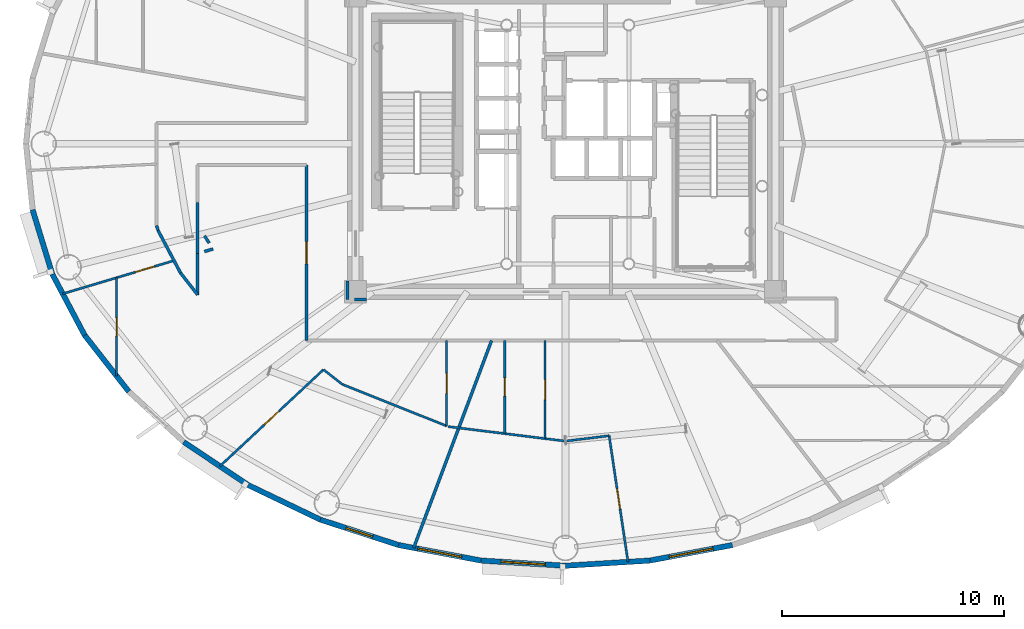
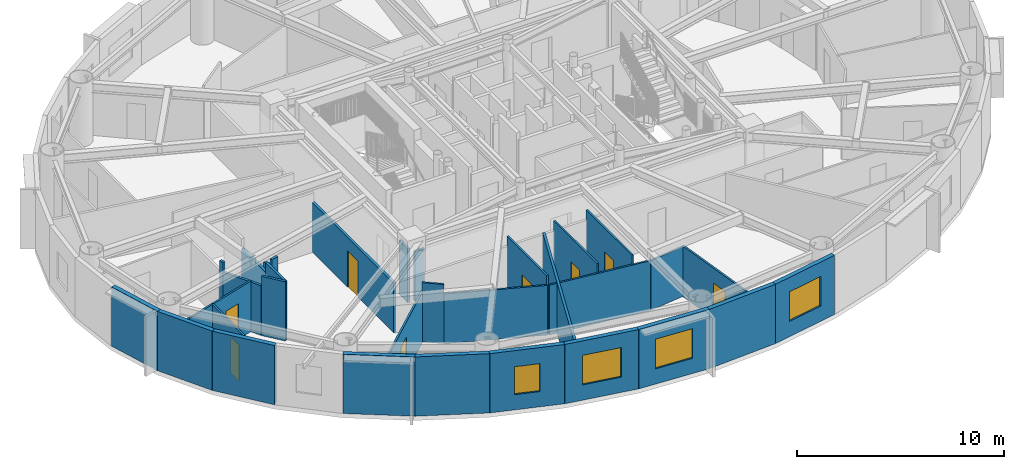
# One storey, part 9 of 21: 32 walls, 8 doors, 4 windows, 12 openings.
"""IFC4 building model written with IfcOpenShell, lengths in metres."""

from ifc_helpers import new_model, si_unit, direction, frame, frame_2d, origin, origin_2d, place, context, subcontext, project, spatial, rectangle, extrude, source, transform, mapped, material, layer, layer_set, type_object, element, fill, save


model = new_model("IFC4")

# Units and contexts
model_context = context("Model", 3, precision=1e-05, world=origin(), true_north=direction((0.0, 1.0)))
body_context = subcontext(model_context, "Body", "Model", "MODEL_VIEW")
ifc_project = project(units=[si_unit("LENGTHUNIT", "METRE"), si_unit("AREAUNIT", "SQUARE_METRE"), si_unit("VOLUMEUNIT", "CUBIC_METRE"), si_unit("PLANEANGLEUNIT", "RADIAN"), si_unit("MASSUNIT", "GRAM", prefix="KILO")], contexts=[model_context])

# Site, building, storey
site_placement = place(None, origin())
site = spatial("IfcSite", under=ifc_project, at=site_placement, CompositionType="ELEMENT")
building_placement = place(site_placement, origin())
building = spatial("IfcBuilding", under=site, at=building_placement, Name="Linh Dai School and Residence Tower", CompositionType="ELEMENT")
storey_placement = place(building_placement, frame((0.0, 0.0, 229.050048828125)))
storey = spatial("IfcBuildingStorey", under=building, at=storey_placement, Name="L56", CompositionType="ELEMENT", Elevation=229.050048828125)

# Walls
ifc_material_1 = material(Name="Precast Concrete B45 (C35/45)", Category="concrete")
ifc_layer_1 = layer(ifc_material_1, 0.239990234375)
ifc_layer_set_1 = layer_set([ifc_layer_1], Name="Precast Concrete B45 (C35/45)")
wall_type_1 = type_object("IfcWallType", Name="EW-TC-240", PredefinedType="SOLIDWALL", material=ifc_layer_set_1)
wall_1_placement = place(storey_placement, frame((12.90966796875, 21.14404296875, 0.0), z_axis=(0.0, 0.0, 1.0), x_axis=(-0.293132907334, 0.95607170162, 0.0)))
element("IfcWall", 1, at=wall_1_placement, inside=storey, type_object=wall_type_1, Name="L56 Terracotta Exterior Wall 22", PredefinedType="SOLIDWALL", context=body_context, shape_type="SweptSolid", body=[
    extrude(rectangle(XDim=3.02490234375, YDim=0.239990234375, at=frame_2d((1.512451171875, 0.0))), origin(), (0.0, 0.0, 1.0), 3.5),
])
wall_2_placement = place(storey_placement, frame((14.3642578125, 18.394775390625, 0.0), z_axis=(0.0, 0.0, 1.0), x_axis=(-0.46766049993, 0.883908172157, 0.0)))
element("IfcWall", 2, at=wall_2_placement, inside=storey, type_object=wall_type_1, Name="L56 Terracotta Exterior Wall 23", PredefinedType="SOLIDWALL", context=body_context, shape_type="SweptSolid", body=[
    extrude(rectangle(XDim=3.1103515625, YDim=0.239990234375, at=frame_2d((1.55517578125, 0.0))), origin(), (0.0, 0.0, 1.0), 3.5),
])
wall_3_placement = place(storey_placement, frame((16.3515625, 15.85546875, 0.0), z_axis=(0.0, 0.0, 1.0), x_axis=(-0.616312344705, 0.787501805562, 0.0)))
element("IfcWall", 3, at=wall_3_placement, inside=storey, type_object=wall_type_1, Name="L56 Terracotta Exterior Wall 24", PredefinedType="SOLIDWALL", context=body_context, shape_type="SweptSolid", body=[
    extrude(rectangle(XDim=3.224609375, YDim=0.239990234375, at=frame_2d((1.6123046875, 0.0))), origin(), (0.0, 0.0, 1.0), 3.5),
])
wall_4_placement = place(storey_placement, frame((21.719970703125, 11.65234375, 0.0), z_axis=(0.0, 0.0, 1.0), x_axis=(-0.831262496074, 0.555880079352, 0.0)))
element("IfcWall", 4, at=wall_4_placement, inside=storey, type_object=wall_type_1, Name="L56 Terracotta Exterior Wall 26", PredefinedType="SOLIDWALL", context=body_context, shape_type="SweptSolid", body=[
    extrude(rectangle(XDim=3.484130859375, YDim=0.239990234375, at=frame_2d((1.7421875, 0.0))), origin(), (0.0, 0.0, 1.0), 3.5),
])
wall_5_placement = place(storey_placement, frame((24.968994140625, 10.093505859375, 0.0), z_axis=(0.0, 0.0, 1.0), x_axis=(-0.901598104751, 0.432574684313, 0.0)))
element("IfcWall", 5, at=wall_5_placement, inside=storey, type_object=wall_type_1, Name="L56 Terracotta Exterior Wall 27", PredefinedType="SOLIDWALL", context=body_context, shape_type="SweptSolid", body=[
    extrude(rectangle(XDim=3.603515625, YDim=0.239990234375, at=frame_2d((1.8017578125, 0.0))), origin(), (0.0, 0.0, 1.0), 3.5),
])

# Wall, opening, window
wall_6_placement = place(storey_placement, frame((28.49072265625, 8.951171875, 0.0), z_axis=(0.0, 0.0, 1.0), x_axis=(-0.951210789182, 0.308541787354, 0.0)))
wall_6 = element("IfcWall", 6, at=wall_6_placement, inside=storey, type_object=wall_type_1, Name="L56 Terracotta Exterior Wall 28", PredefinedType="SOLIDWALL", context=body_context, shape_type="SweptSolid", body=[
    extrude(rectangle(XDim=3.702392578125, YDim=0.239990234375, at=frame_2d((1.85107421875, 0.0))), origin(), (0.0, 0.0, 1.0), 3.5),
])
opening_1_placement = place(wall_6_placement, frame((1.226318359375, 0.0, 0.89990234375)))
opening_1 = element("IfcOpeningElement", 7, at=opening_1_placement, cuts=wall_6, Name="Opening W3", PredefinedType="OPENING", context=body_context, shape_type="SweptSolid", body=[
    extrude(rectangle(XDim=1.25, YDim=1.64990234375, at=origin_2d()), frame((0.625, 0.1298828125, 0.824951171875), z_axis=(0.0, -1.0, 0.0), x_axis=(1.0, 0.0, 0.0)), (0.0, 0.0, 1.0), 0.260009765625),
])
ifc_material_2 = material(Name="Double Low-E Insulated Glazing", Category="glass")
window_type_1 = type_object("IfcWindowType", Name="WN-RES-1250x1650", PartitioningType="SINGLE_PANEL", PredefinedType="WINDOW", material=ifc_material_2)
shared_shape_1 = source(origin(), body_context, "Body", "SweptSolid", [
    extrude(rectangle(XDim=1.25, YDim=1.64990234375, at=origin_2d()), frame((0.625, 0.030029296875, 0.824951171875), z_axis=(0.0, -1.0, 0.0), x_axis=(1.0, 0.0, 0.0)), (0.0, 0.0, 1.0), 0.06005859375),
])
window_1_placement = place(opening_1_placement, origin())
window_1 = element("IfcWindow", 8, at=window_1_placement, inside=storey, type_object=window_type_1, Name="L56 Dwelling Window U5602-BD2", OverallHeight=1.64990234375, OverallWidth=1.25, PartitioningType="SINGLE_PANEL", PredefinedType="WINDOW", context=body_context, shape_type="MappedRepresentation", body=[
    mapped(shared_shape_1, transform((0.0, 0.0, 0.0), x_axis=(1.0, 0.0, 0.0), y_axis=(0.0, 1.0, 0.0), z_axis=(0.0, 0.0, 1.0), scale=1.0)),
])
fill(opening_1, window_1)

wall_7_placement = place(storey_placement, frame((32.198486328125, 8.254150390625, 0.0), z_axis=(0.0, 0.0, 1.0), x_axis=(-0.982784898575, 0.184753465822, 0.0)))
wall_7 = element("IfcWall", 9, at=wall_7_placement, inside=storey, type_object=wall_type_1, Name="L56 Terracotta Exterior Wall 29", PredefinedType="SOLIDWALL", context=body_context, shape_type="SweptSolid", body=[
    extrude(rectangle(XDim=3.772705078125, YDim=0.239990234375, at=frame_2d((1.88623046875, 0.0))), origin(), (0.0, 0.0, 1.0), 3.5),
])
opening_2_placement = place(wall_7_placement, frame((0.88623046875, 0.0, 0.89990234375)))
opening_2 = element("IfcOpeningElement", 10, at=opening_2_placement, cuts=wall_7, Name="Opening W1", PredefinedType="OPENING", context=body_context, shape_type="SweptSolid", body=[
    extrude(rectangle(XDim=2.0, YDim=1.75, at=origin_2d()), frame((1.0, 0.1298828125, 0.875), z_axis=(0.0, -1.0, 0.0), x_axis=(1.0, 0.0, 0.0)), (0.0, 0.0, 1.0), 0.260009765625),
])
window_type_2 = type_object("IfcWindowType", Name="WN-RES-2000x1750", PartitioningType="DOUBLE_PANEL_VERTICAL", PredefinedType="WINDOW", material=ifc_material_2)
shared_shape_2 = source(origin(), body_context, "Body", "SweptSolid", [
    extrude(rectangle(XDim=2.0, YDim=1.75, at=origin_2d()), frame((1.0, 0.030029296875, 0.875), z_axis=(0.0, -1.0, 0.0), x_axis=(1.0, 0.0, 0.0)), (0.0, 0.0, 1.0), 0.06005859375),
])
window_2_placement = place(opening_2_placement, origin())
window_2 = element("IfcWindow", 11, at=window_2_placement, inside=storey, type_object=window_type_2, Name="L56 Exterior Window 29.1", OverallHeight=1.75, OverallWidth=2.0, PartitioningType="DOUBLE_PANEL_VERTICAL", PredefinedType="WINDOW", context=body_context, shape_type="MappedRepresentation", body=[
    mapped(shared_shape_2, transform((0.0, 0.0, 0.0), x_axis=(1.0, 0.0, 0.0), y_axis=(0.0, 1.0, 0.0), z_axis=(0.0, 0.0, 1.0), scale=1.0)),
])
fill(opening_2, window_2)

wall_8_placement = place(storey_placement, frame((36.0, 8.02001953125, 0.0), z_axis=(0.0, 0.0, 1.0), x_axis=(-0.998108785312, 0.06147237333, 0.0)))
wall_8 = element("IfcWall", 12, at=wall_8_placement, inside=storey, type_object=wall_type_1, Name="L56 Terracotta Exterior Wall 30", PredefinedType="SOLIDWALL", context=body_context, shape_type="SweptSolid", body=[
    extrude(rectangle(XDim=3.808837890625, YDim=0.239990234375, at=frame_2d((1.904296875, 0.0))), origin(), (0.0, 0.0, 1.0), 3.5),
])
opening_3_placement = place(wall_8_placement, frame((0.904296875, 0.0, 0.89990234375)))
opening_3 = element("IfcOpeningElement", 13, at=opening_3_placement, cuts=wall_8, Name="Opening W1", PredefinedType="OPENING", context=body_context, shape_type="SweptSolid", body=[
    extrude(rectangle(XDim=2.0, YDim=1.75, at=origin_2d()), frame((1.0, 0.1298828125, 0.875), z_axis=(0.0, -1.0, 0.0), x_axis=(1.0, 0.0, 0.0)), (0.0, 0.0, 1.0), 0.260009765625),
])
window_3_placement = place(opening_3_placement, origin())
window_3 = element("IfcWindow", 14, at=window_3_placement, inside=storey, type_object=window_type_2, Name="L56 Exterior Window 30.1", OverallHeight=1.75, OverallWidth=2.0, PartitioningType="DOUBLE_PANEL_VERTICAL", PredefinedType="WINDOW", context=body_context, shape_type="MappedRepresentation", body=[
    mapped(shared_shape_2, transform((0.0, 0.0, 0.0), x_axis=(1.0, 0.0, 0.0), y_axis=(0.0, 1.0, 0.0), z_axis=(0.0, 0.0, 1.0), scale=1.0)),
])
fill(opening_3, window_3)

# Wall
wall_9_placement = place(storey_placement, frame((39.801513671875, 8.254150390625, 0.0), z_axis=(0.0, 0.0, 1.0), x_axis=(-0.998108785312, -0.06147237333, 0.0)))
element("IfcWall", 15, at=wall_9_placement, inside=storey, type_object=wall_type_1, Name="L56 Terracotta Exterior Wall 31", PredefinedType="SOLIDWALL", context=body_context, shape_type="SweptSolid", body=[
    extrude(rectangle(XDim=3.808837890625, YDim=0.239990234375, at=frame_2d((1.904296875, 0.0))), origin(), (0.0, 0.0, 1.0), 3.5),
])

# Wall, opening, window
wall_10_placement = place(storey_placement, frame((43.50927734375, 8.951171875, 0.0), z_axis=(0.0, 0.0, 1.0), x_axis=(-0.982784898575, -0.184753465822, 0.0)))
wall_10 = element("IfcWall", 16, at=wall_10_placement, inside=storey, type_object=wall_type_1, Name="L56 Terracotta Exterior Wall 32", PredefinedType="SOLIDWALL", context=body_context, shape_type="SweptSolid", body=[
    extrude(rectangle(XDim=3.772705078125, YDim=0.239990234375, at=frame_2d((1.88623046875, 0.0))), origin(), (0.0, 0.0, 1.0), 3.5),
])
opening_4_placement = place(wall_10_placement, frame((0.88623046875, 0.0, 0.89990234375)))
opening_4 = element("IfcOpeningElement", 17, at=opening_4_placement, cuts=wall_10, Name="Opening W1", PredefinedType="OPENING", context=body_context, shape_type="SweptSolid", body=[
    extrude(rectangle(XDim=2.0, YDim=1.75, at=origin_2d()), frame((1.0, 0.1298828125, 0.875), z_axis=(0.0, -1.0, 0.0), x_axis=(1.0, 0.0, 0.0)), (0.0, 0.0, 1.0), 0.260009765625),
])
window_4_placement = place(opening_4_placement, origin())
window_4 = element("IfcWindow", 18, at=window_4_placement, inside=storey, type_object=window_type_2, Name="L56 Exterior Window 32.1", OverallHeight=1.75, OverallWidth=2.0, PartitioningType="DOUBLE_PANEL_VERTICAL", PredefinedType="WINDOW", context=body_context, shape_type="MappedRepresentation", body=[
    mapped(shared_shape_2, transform((0.0, 0.0, 0.0), x_axis=(1.0, 0.0, 0.0), y_axis=(0.0, 1.0, 0.0), z_axis=(0.0, 0.0, 1.0), scale=1.0)),
])
fill(opening_4, window_4)

# Walls
ifc_material_3 = material(Name="Autoclaved Aerated Concrete Blockwork", Category="masonry")
ifc_layer_2 = layer(ifc_material_3, 0.135009765625)
ifc_layer_set_2 = layer_set([ifc_layer_2], Name="Autoclaved Aerated Concrete Blockwork")
wall_type_2 = type_object("IfcWallType", Name="IW-CORR-135-EI90", PredefinedType="PARTITIONING", material=ifc_layer_set_2)
wall_11_placement = place(storey_placement, frame((17.60009765625, 23.327880859375, 0.0), z_axis=(0.0, 0.0, 1.0), x_axis=(0.292875000845, -0.956150738053, 0.0)))
element("IfcWall", 19, at=wall_11_placement, inside=storey, type_object=wall_type_2, Name="L56 Interior Partition Wall 008", PredefinedType="PARTITIONING", context=body_context, shape_type="SweptSolid", body=[
    extrude(rectangle(XDim=0.226806640625, YDim=0.135009765625, at=frame_2d((0.11328125, 0.0))), origin(), (0.0, 0.0, 1.0), 3.5),
])
wall_12_placement = place(storey_placement, frame((17.66650390625, 23.111083984375, 0.0), z_axis=(0.0, 0.0, 1.0), x_axis=(0.467582558239, -0.883949405357, 0.0)))
element("IfcWall", 20, at=wall_12_placement, inside=storey, type_object=wall_type_2, Name="L56 Interior Partition Wall 010", PredefinedType="PARTITIONING", context=body_context, shape_type="SweptSolid", body=[
    extrude(rectangle(XDim=2.1689453125, YDim=0.135009765625, at=frame_2d((1.08447265625, 0.0))), origin(), (0.0, 0.0, 1.0), 2.93505859375),
])
wall_13_placement = place(storey_placement, frame((18.6806640625, 21.1943359375, 0.0), z_axis=(0.0, 0.0, 1.0), x_axis=(0.616239706802, -0.787558647823, 0.0)))
element("IfcWall", 21, at=wall_13_placement, inside=storey, type_object=wall_type_2, Name="L56 Interior Partition Wall 011", PredefinedType="PARTITIONING", context=body_context, shape_type="SweptSolid", body=[
    extrude(rectangle(XDim=1.248291015625, YDim=0.135009765625, at=frame_2d((0.6240234375, 0.0))), origin(), (0.0, 0.0, 1.0), 3.5),
])
wall_14_placement = place(storey_placement, frame((19.449951171875, 20.211181640625, 0.0), z_axis=(0.0, 0.0, 1.0), x_axis=(0.0, 1.0, 0.0)))
element("IfcWall", 22, at=wall_14_placement, inside=storey, type_object=wall_type_2, Name="L56 Interior Partition Wall 013", PredefinedType="PARTITIONING", context=body_context, shape_type="SweptSolid", body=[
    extrude(rectangle(XDim=1.854736328125, YDim=0.135009765625, at=frame_2d((0.92724609375, 0.0))), origin(), (0.0, 0.0, 1.0), 3.5),
])

# Wall, opening, door
wall_15_placement = place(storey_placement, frame((24.35009765625, 18.14990234375, 0.0), z_axis=(0.0, 0.0, 1.0), x_axis=(0.0, 1.0, 0.0)))
wall_15 = element("IfcWall", 23, at=wall_15_placement, inside=storey, type_object=wall_type_2, Name="L56 Interior Partition Wall 018", PredefinedType="PARTITIONING", context=body_context, shape_type="SweptSolid", body=[
    extrude(rectangle(XDim=7.900146484375, YDim=0.135009765625, at=frame_2d((3.9501953125, 0.0))), origin(), (0.0, 0.0, 1.0), 2.93505859375),
])
opening_5_placement = place(wall_15_placement, frame((3.449951171875, 0.0, 0.0)))
opening_5 = element("IfcOpeningElement", 24, at=opening_5_placement, cuts=wall_15, Name="Opening D03", PredefinedType="OPENING", context=body_context, shape_type="SweptSolid", body=[
    extrude(rectangle(XDim=1.0, YDim=2.14990234375, at=origin_2d()), frame((0.5, 0.07763671875, 1.074951171875), z_axis=(0.0, -1.0, 0.0), x_axis=(1.0, 0.0, 0.0)), (0.0, 0.0, 1.0), 0.155029296875),
])
ifc_material_4 = material(Name="Fire-Rated Solid Timber Entrance Door", Category="wood")
door_type_1 = type_object("IfcDoorType", Name="DR-FLAT-1000x2150-FD60S", OperationType="NOTDEFINED", PredefinedType="DOOR", material=ifc_material_4)
shared_shape_3 = source(origin(), body_context, "Body", "SweptSolid", [
    extrude(rectangle(XDim=1.0, YDim=2.14990234375, at=origin_2d()), frame((0.5, 0.02490234375, 1.074951171875), z_axis=(0.0, -1.0, 0.0), x_axis=(1.0, 0.0, 0.0)), (0.0, 0.0, 1.0), 0.050048828125),
])
door_1_placement = place(opening_5_placement, origin())
door_1 = element("IfcDoor", 25, at=door_1_placement, inside=storey, type_object=door_type_1, Name="L56 U5602 Apartment Entrance Door", OperationType="SINGLE_SWING_LEFT", OverallHeight=2.14990234375, OverallWidth=1.0, PredefinedType="DOOR", context=body_context, shape_type="MappedRepresentation", body=[
    mapped(shared_shape_3, transform((0.0, 0.0, 0.0), x_axis=(1.0, 0.0, 0.0), y_axis=(0.0, 1.0, 0.0), z_axis=(0.0, 0.0, 1.0), scale=1.0)),
])
fill(opening_5, door_1)

# Walls
wall_16_placement = place(storey_placement, frame((29.16943359375, 8.818603515625, 0.0), z_axis=(0.0, 0.0, 1.0), x_axis=(0.351676288836, 0.936121673646, 0.0)))
element("IfcWall", 26, at=wall_16_placement, inside=storey, type_object=wall_type_2, Name="L56 Interior Partition Wall 027", PredefinedType="PARTITIONING", context=body_context, shape_type="SweptSolid", body=[
    extrude(rectangle(XDim=9.96826171875, YDim=0.135009765625, at=frame_2d((4.984130859375, 0.0))), origin(), (0.0, 0.0, 1.0), 2.98486328125),
])
wall_17_placement = place(storey_placement, frame((19.449951171875, 24.369873046875, 0.0), z_axis=(0.0, 0.0, 1.0), x_axis=(0.0, -1.0, 0.0)))
element("IfcWall", 27, at=wall_17_placement, inside=storey, type_object=wall_type_2, Name="L56 Interior Partition Wall 099", PredefinedType="PARTITIONING", context=body_context, shape_type="SweptSolid", body=[
    extrude(rectangle(XDim=2.2939453125, YDim=0.135009765625, at=frame_2d((1.14697265625, 0.0))), origin(), (0.0, 0.0, 1.0), 2.93505859375),
])
wall_18_placement = place(storey_placement, frame((26.199951171875, 20.840087890625, 0.0), z_axis=(0.0, 0.0, 1.0), x_axis=(0.0, -1.0, 0.0)))
element("IfcWall", 28, at=wall_18_placement, inside=storey, type_object=wall_type_2, Name="L56 Interior Partition Wall 104", PredefinedType="PARTITIONING", context=body_context, shape_type="SweptSolid", body=[
    extrude(rectangle(XDim=0.840087890625, YDim=0.135009765625, at=frame_2d((0.419921875, 0.0))), origin(), (0.0, 0.0, 1.0), 3.18505859375),
])
wall_19_placement = place(storey_placement, frame((26.507568359375, 20.0, 0.0), z_axis=(0.0, 0.0, 1.0), x_axis=(1.0, 0.0, 0.0)))
element("IfcWall", 29, at=wall_19_placement, inside=storey, type_object=wall_type_2, Name="L56 Interior Partition Wall 105", PredefinedType="PARTITIONING", context=body_context, shape_type="SweptSolid", body=[
    extrude(rectangle(XDim=0.532470703125, YDim=0.135009765625, at=frame_2d((0.26611328125, 0.0))), origin(), (0.0, 0.0, 1.0), 2.93505859375),
])
wall_20_placement = place(storey_placement, frame((19.757568359375, 22.157470703125, 0.0), z_axis=(0.0, 0.0, 1.0), x_axis=(0.95827609565, 0.285844231191, 0.0)))
element("IfcWall", 30, at=wall_20_placement, inside=storey, type_object=wall_type_2, Name="L56 Interior Partition Wall 107", PredefinedType="PARTITIONING", context=body_context, shape_type="SweptSolid", body=[
    extrude(rectangle(XDim=0.40234375, YDim=0.135009765625, at=frame_2d((0.201171875, 0.0))), origin(), (0.0, 0.0, 1.0), 3.5),
])
wall_21_placement = place(storey_placement, frame((19.96826171875, 22.541259765625, 0.0), z_axis=(0.0, 0.0, 1.0), x_axis=(-0.545477029726, 0.838125772209, 0.0)))
element("IfcWall", 31, at=wall_21_placement, inside=storey, type_object=wall_type_2, Name="L56 Interior Partition Wall 108", PredefinedType="PARTITIONING", context=body_context, shape_type="SweptSolid", body=[
    extrude(rectangle(XDim=0.38623046875, YDim=0.135009765625, at=frame_2d((0.193115234375, 0.0))), origin(), (0.0, 0.0, 1.0), 2.93505859375),
])

# Wall, opening, door
ifc_material_5 = material(Name="Gypsum Plasterboard Acoustic Stud Partition", Category="masonry")
ifc_layer_3 = layer(ifc_material_5, 0.10009765625)
ifc_layer_set_3 = layer_set([ifc_layer_3], Name="Gypsum Plasterboard Acoustic Stud Partition")
wall_type_3 = type_object("IfcWallType", Name="IW-UNIT-100", PredefinedType="PARTITIONING", material=ifc_layer_set_3)
wall_22_placement = place(storey_placement, frame((13.37451171875, 20.254638671875, 0.0), z_axis=(0.0, 0.0, 1.0), x_axis=(0.95831691216, 0.285707360544, 0.0)))
wall_22 = element("IfcWall", 32, at=wall_22_placement, inside=storey, type_object=wall_type_3, Name="L56 Interior Partition Wall 003", PredefinedType="PARTITIONING", context=body_context, shape_type="SweptSolid", body=[
    extrude(rectangle(XDim=5.23046875, YDim=0.10009765625, at=frame_2d((2.615234375, 0.0))), origin(), (0.0, 0.0, 1.0), 2.98486328125),
])
opening_6_placement = place(wall_22_placement, frame((3.41162109375, 0.0, 0.0)))
opening_6 = element("IfcOpeningElement", 33, at=opening_6_placement, cuts=wall_22, Name="Opening D05", PredefinedType="OPENING", context=body_context, shape_type="SweptSolid", body=[
    extrude(rectangle(XDim=0.89990234375, YDim=2.10009765625, at=origin_2d()), frame((0.449951171875, 0.06005859375, 1.050048828125), z_axis=(0.0, -1.0, 0.0), x_axis=(1.0, 0.0, 0.0)), (0.0, 0.0, 1.0), 0.1201171875),
])
ifc_material_6 = material(Name="Engineered Timber Internal Door", Category="wood")
door_type_2 = type_object("IfcDoorType", Name="DR-INT-900x2100", OperationType="NOTDEFINED", PredefinedType="DOOR", material=ifc_material_6)
shared_shape_4 = source(origin(), body_context, "Body", "SweptSolid", [
    extrude(rectangle(XDim=0.89990234375, YDim=2.10009765625, at=origin_2d()), frame((0.449951171875, 0.02490234375, 1.050048828125), z_axis=(0.0, -1.0, 0.0), x_axis=(1.0, 0.0, 0.0)), (0.0, 0.0, 1.0), 0.050048828125),
])
door_2_placement = place(opening_6_placement, origin())
door_2 = element("IfcDoor", 34, at=door_2_placement, inside=storey, type_object=door_type_2, Name="L56 Apartment U5602 Study Door", OperationType="SINGLE_SWING_RIGHT", OverallHeight=2.10009765625, OverallWidth=0.89990234375, PredefinedType="DOOR", context=body_context, shape_type="MappedRepresentation", body=[
    mapped(shared_shape_4, transform((0.0, 0.0, 0.0), x_axis=(1.0, 0.0, 0.0), y_axis=(0.0, 1.0, 0.0), z_axis=(0.0, 0.0, 1.0), scale=1.0)),
])
fill(opening_6, door_2)

wall_23_placement = place(storey_placement, frame((15.802001953125, 16.549560546875, 0.0), z_axis=(0.0, 0.0, 1.0), x_axis=(0.0, 1.0, 0.0)))
wall_23 = element("IfcWall", 35, at=wall_23_placement, inside=storey, type_object=wall_type_3, Name="L56 Interior Partition Wall 005", PredefinedType="PARTITIONING", context=body_context, shape_type="SweptSolid", body=[
    extrude(rectangle(XDim=4.4287109375, YDim=0.10009765625, at=frame_2d((2.21435546875, 0.0))), origin(), (0.0, 0.0, 1.0), 2.98486328125),
])
opening_7_placement = place(wall_23_placement, frame((1.804443359375, 0.0, 0.0)))
opening_7 = element("IfcOpeningElement", 36, at=opening_7_placement, cuts=wall_23, Name="Opening D06", PredefinedType="OPENING", context=body_context, shape_type="SweptSolid", body=[
    extrude(rectangle(XDim=0.820068359375, YDim=2.10009765625, at=origin_2d()), frame((0.41015625, 0.06005859375, 1.050048828125), z_axis=(0.0, -1.0, 0.0), x_axis=(1.0, 0.0, 0.0)), (0.0, 0.0, 1.0), 0.1201171875),
])
ifc_material_7 = material(Name="Moisture-Resistant Timber Bathroom Door", Category="wood")
door_type_3 = type_object("IfcDoorType", Name="DR-WET-820x2100", OperationType="NOTDEFINED", PredefinedType="DOOR", material=ifc_material_7)
shared_shape_5 = source(origin(), body_context, "Body", "SweptSolid", [
    extrude(rectangle(XDim=0.820068359375, YDim=2.10009765625, at=origin_2d()), frame((0.41015625, 0.02490234375, 1.050048828125), z_axis=(0.0, -1.0, 0.0), x_axis=(1.0, 0.0, 0.0)), (0.0, 0.0, 1.0), 0.050048828125),
])
door_3_placement = place(opening_7_placement, origin())
door_3 = element("IfcDoor", 37, at=door_3_placement, inside=storey, type_object=door_type_3, Name="L56 Apartment U5602 Bathroom 1 Door", OperationType="SINGLE_SWING_RIGHT", OverallHeight=2.10009765625, OverallWidth=0.820068359375, PredefinedType="DOOR", context=body_context, shape_type="MappedRepresentation", body=[
    mapped(shared_shape_5, transform((0.0, 0.0, 0.0), x_axis=(1.0, 0.0, 0.0), y_axis=(0.0, 1.0, 0.0), z_axis=(0.0, 0.0, 1.0), scale=1.0)),
])
fill(opening_7, door_3)

wall_24_placement = place(storey_placement, frame((20.44921875, 12.49609375, 0.0), z_axis=(0.0, 0.0, 1.0), x_axis=(0.731298421662, 0.682057635743, 0.0)))
wall_24 = element("IfcWall", 38, at=wall_24_placement, inside=storey, type_object=wall_type_3, Name="L56 Interior Partition Wall 016", PredefinedType="PARTITIONING", context=body_context, shape_type="SweptSolid", body=[
    extrude(rectangle(XDim=6.376220703125, YDim=0.10009765625, at=frame_2d((3.18798828125, 0.0))), origin(), (0.0, 0.0, 1.0), 2.98486328125),
])
opening_8_placement = place(wall_24_placement, frame((2.738037109375, 0.0, 0.0)))
opening_8 = element("IfcOpeningElement", 39, at=opening_8_placement, cuts=wall_24, Name="Opening D05", PredefinedType="OPENING", context=body_context, shape_type="SweptSolid", body=[
    extrude(rectangle(XDim=0.89990234375, YDim=2.10009765625, at=origin_2d()), frame((0.449951171875, 0.06005859375, 1.050048828125), z_axis=(0.0, -1.0, 0.0), x_axis=(1.0, 0.0, 0.0)), (0.0, 0.0, 1.0), 0.1201171875),
])
door_4_placement = place(opening_8_placement, origin())
door_4 = element("IfcDoor", 40, at=door_4_placement, inside=storey, type_object=door_type_2, Name="L56 Apartment U5602 Principal Bedroom 2 Door", OperationType="SINGLE_SWING_LEFT", OverallHeight=2.10009765625, OverallWidth=0.89990234375, PredefinedType="DOOR", context=body_context, shape_type="MappedRepresentation", body=[
    mapped(shared_shape_4, transform((0.0, 0.0, 0.0), x_axis=(1.0, 0.0, 0.0), y_axis=(0.0, 1.0, 0.0), z_axis=(0.0, 0.0, 1.0), scale=1.0)),
])
fill(opening_8, door_4)

# Walls
wall_25_placement = place(storey_placement, frame((25.112060546875, 16.844970703125, 0.0), z_axis=(0.0, 0.0, 1.0), x_axis=(0.787433290794, -0.616399880394, 0.0)))
element("IfcWall", 41, at=wall_25_placement, inside=storey, type_object=wall_type_3, Name="L56 Interior Partition Wall 022", PredefinedType="PARTITIONING", context=body_context, shape_type="SweptSolid", body=[
    extrude(rectangle(XDim=1.07763671875, YDim=0.10009765625, at=frame_2d((0.538818359375, 0.0))), origin(), (0.0, 0.0, 1.0), 3.5),
])
wall_26_placement = place(storey_placement, frame((25.960693359375, 16.1806640625, 0.0), z_axis=(0.0, 0.0, 1.0), x_axis=(0.928803127631, -0.370573542098, 0.0)))
element("IfcWall", 42, at=wall_26_placement, inside=storey, type_object=wall_type_3, Name="L56 Interior Partition Wall 023", PredefinedType="PARTITIONING", context=body_context, shape_type="SweptSolid", body=[
    extrude(rectangle(XDim=5.049072265625, YDim=0.10009765625, at=frame_2d((2.5244140625, 0.0))), origin(), (0.0, 0.0, 1.0), 2.93505859375),
])

# Wall, opening, door
wall_27_placement = place(storey_placement, frame((30.650390625, 14.3095703125, 0.0), z_axis=(0.0, 0.0, 1.0), x_axis=(0.0, 1.0, 0.0)))
wall_27 = element("IfcWall", 43, at=wall_27_placement, inside=storey, type_object=wall_type_3, Name="L56 Interior Partition Wall 029", PredefinedType="PARTITIONING", context=body_context, shape_type="SweptSolid", body=[
    extrude(rectangle(XDim=3.84033203125, YDim=0.10009765625, at=frame_2d((1.920166015625, 0.0))), origin(), (0.0, 0.0, 1.0), 3.5),
])
opening_9_placement = place(wall_27_placement, frame((1.47021484375, 0.0, 0.0)))
opening_9 = element("IfcOpeningElement", 44, at=opening_9_placement, cuts=wall_27, Name="Opening D05", PredefinedType="OPENING", context=body_context, shape_type="SweptSolid", body=[
    extrude(rectangle(XDim=0.89990234375, YDim=2.10009765625, at=origin_2d()), frame((0.449951171875, 0.06005859375, 1.050048828125), z_axis=(0.0, -1.0, 0.0), x_axis=(1.0, 0.0, 0.0)), (0.0, 0.0, 1.0), 0.1201171875),
])
door_5_placement = place(opening_9_placement, origin())
door_5 = element("IfcDoor", 45, at=door_5_placement, inside=storey, type_object=door_type_2, Name="L56 Apartment U5602 Kitchen Door", OperationType="SINGLE_SWING_LEFT", OverallHeight=2.10009765625, OverallWidth=0.89990234375, PredefinedType="DOOR", context=body_context, shape_type="MappedRepresentation", body=[
    mapped(shared_shape_4, transform((0.0, 0.0, 0.0), x_axis=(1.0, 0.0, 0.0), y_axis=(0.0, 1.0, 0.0), z_axis=(0.0, 0.0, 1.0), scale=1.0)),
])
fill(opening_9, door_5)

# Wall
wall_28_placement = place(storey_placement, frame((30.721923828125, 14.281005859375, 0.0), z_axis=(0.0, 0.0, 1.0), x_axis=(0.992398169186, -0.123068573551, 0.0)))
element("IfcWall", 46, at=wall_28_placement, inside=storey, type_object=wall_type_3, Name="L56 Interior Partition Wall 030", PredefinedType="PARTITIONING", context=body_context, shape_type="SweptSolid", body=[
    extrude(rectangle(XDim=5.318603515625, YDim=0.10009765625, at=frame_2d((2.6591796875, 0.0))), origin(), (0.0, 0.0, 1.0), 2.93505859375),
])

# Wall, opening, door
wall_29_placement = place(storey_placement, frame((33.264404296875, 13.9658203125, 0.0), z_axis=(0.0, 0.0, 1.0), x_axis=(0.0, 1.0, 0.0)))
wall_29 = element("IfcWall", 47, at=wall_29_placement, inside=storey, type_object=wall_type_3, Name="L56 Interior Partition Wall 039", PredefinedType="PARTITIONING", context=body_context, shape_type="SweptSolid", body=[
    extrude(rectangle(XDim=4.18408203125, YDim=0.10009765625, at=frame_2d((2.092041015625, 0.0))), origin(), (0.0, 0.0, 1.0), 3.5),
])
opening_10_placement = place(wall_29_placement, frame((1.68212890625, 0.0, 0.0)))
opening_10 = element("IfcOpeningElement", 48, at=opening_10_placement, cuts=wall_29, Name="Opening D06", PredefinedType="OPENING", context=body_context, shape_type="SweptSolid", body=[
    extrude(rectangle(XDim=0.820068359375, YDim=2.10009765625, at=origin_2d()), frame((0.41015625, 0.06005859375, 1.050048828125), z_axis=(0.0, -1.0, 0.0), x_axis=(1.0, 0.0, 0.0)), (0.0, 0.0, 1.0), 0.1201171875),
])
door_6_placement = place(opening_10_placement, origin())
door_6 = element("IfcDoor", 49, at=door_6_placement, inside=storey, type_object=door_type_3, Name="L56 Apartment U5603 Bathroom 1 Door", OperationType="SINGLE_SWING_RIGHT", OverallHeight=2.10009765625, OverallWidth=0.820068359375, PredefinedType="DOOR", context=body_context, shape_type="MappedRepresentation", body=[
    mapped(shared_shape_5, transform((0.0, 0.0, 0.0), x_axis=(1.0, 0.0, 0.0), y_axis=(0.0, 1.0, 0.0), z_axis=(0.0, 0.0, 1.0), scale=1.0)),
])
fill(opening_10, door_6)

wall_30_placement = place(storey_placement, frame((35.08154296875, 13.740478515625, 0.0), z_axis=(0.0, 0.0, 1.0), x_axis=(0.0, 1.0, 0.0)))
wall_30 = element("IfcWall", 50, at=wall_30_placement, inside=storey, type_object=wall_type_3, Name="L56 Interior Partition Wall 047", PredefinedType="PARTITIONING", context=body_context, shape_type="SweptSolid", body=[
    extrude(rectangle(XDim=4.409423828125, YDim=0.10009765625, at=frame_2d((2.20458984375, 0.0))), origin(), (0.0, 0.0, 1.0), 3.5),
])
opening_11_placement = place(wall_30_placement, frame((1.7548828125, 0.0, 0.0)))
opening_11 = element("IfcOpeningElement", 51, at=opening_11_placement, cuts=wall_30, Name="Opening D05", PredefinedType="OPENING", context=body_context, shape_type="SweptSolid", body=[
    extrude(rectangle(XDim=0.89990234375, YDim=2.10009765625, at=origin_2d()), frame((0.449951171875, 0.06005859375, 1.050048828125), z_axis=(0.0, -1.0, 0.0), x_axis=(1.0, 0.0, 0.0)), (0.0, 0.0, 1.0), 0.1201171875),
])
door_7_placement = place(opening_11_placement, origin())
door_7 = element("IfcDoor", 52, at=door_7_placement, inside=storey, type_object=door_type_2, Name="L56 Apartment U5603 Kitchen Door", OperationType="SINGLE_SWING_LEFT", OverallHeight=2.10009765625, OverallWidth=0.89990234375, PredefinedType="DOOR", context=body_context, shape_type="MappedRepresentation", body=[
    mapped(shared_shape_4, transform((0.0, 0.0, 0.0), x_axis=(1.0, 0.0, 0.0), y_axis=(0.0, 1.0, 0.0), z_axis=(0.0, 0.0, 1.0), scale=1.0)),
])
fill(opening_11, door_7)

# Wall
wall_31_placement = place(storey_placement, frame((36.0, 13.62646484375, 0.0), z_axis=(0.0, 0.0, 1.0), x_axis=(0.992393208717, 0.123108567097, 0.0)))
element("IfcWall", 53, at=wall_31_placement, inside=storey, type_object=wall_type_3, Name="L56 Interior Partition Wall 055", PredefinedType="PARTITIONING", context=body_context, shape_type="SweptSolid", body=[
    extrude(rectangle(XDim=1.979248046875, YDim=0.10009765625, at=frame_2d((0.98974609375, 0.0))), origin(), (0.0, 0.0, 1.0), 2.93505859375),
])

# Wall, opening, door
wall_32_placement = place(storey_placement, frame((37.964111328125, 13.8701171875, 0.0), z_axis=(0.0, 0.0, 1.0), x_axis=(0.147933131181, -0.988997365365, 0.0)))
wall_32 = element("IfcWall", 54, at=wall_32_placement, inside=storey, type_object=wall_type_3, Name="L56 Interior Partition Wall 060", PredefinedType="PARTITIONING", context=body_context, shape_type="SweptSolid", body=[
    extrude(rectangle(XDim=5.744873046875, YDim=0.10009765625, at=frame_2d((2.87255859375, 0.0))), origin(), (0.0, 0.0, 1.0), 2.98486328125),
])
opening_12_placement = place(wall_32_placement, frame((2.42236328125, 0.0, 0.0)))
opening_12 = element("IfcOpeningElement", 55, at=opening_12_placement, cuts=wall_32, Name="Opening D05", PredefinedType="OPENING", context=body_context, shape_type="SweptSolid", body=[
    extrude(rectangle(XDim=0.89990234375, YDim=2.10009765625, at=origin_2d()), frame((0.449951171875, 0.06005859375, 1.050048828125), z_axis=(0.0, -1.0, 0.0), x_axis=(1.0, 0.0, 0.0)), (0.0, 0.0, 1.0), 0.1201171875),
])
door_8_placement = place(opening_12_placement, origin())
door_8 = element("IfcDoor", 56, at=door_8_placement, inside=storey, type_object=door_type_2, Name="L56 Apartment U5603 Principal Bedroom 1 Door", OperationType="SINGLE_SWING_RIGHT", OverallHeight=2.10009765625, OverallWidth=0.89990234375, PredefinedType="DOOR", context=body_context, shape_type="MappedRepresentation", body=[
    mapped(shared_shape_4, transform((0.0, 0.0, 0.0), x_axis=(1.0, 0.0, 0.0), y_axis=(0.0, 1.0, 0.0), z_axis=(0.0, 0.0, 1.0), scale=1.0)),
])
fill(opening_12, door_8)

save(model, "model.ifc")
